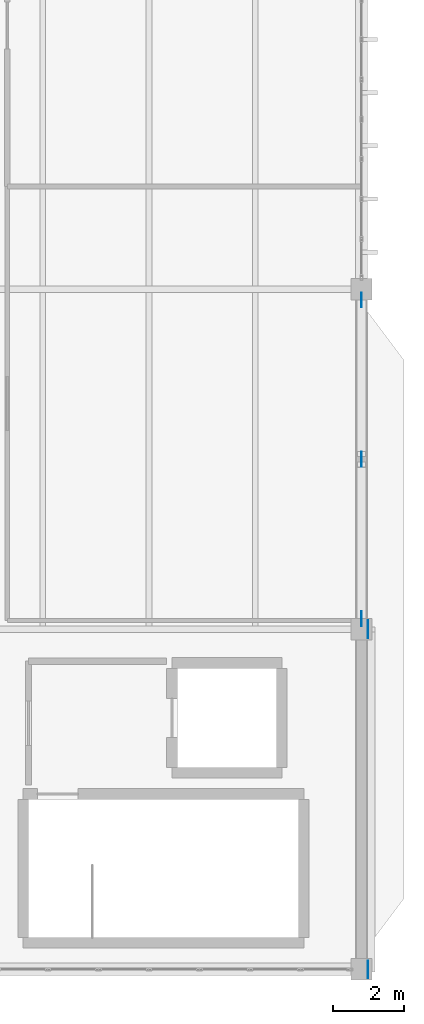
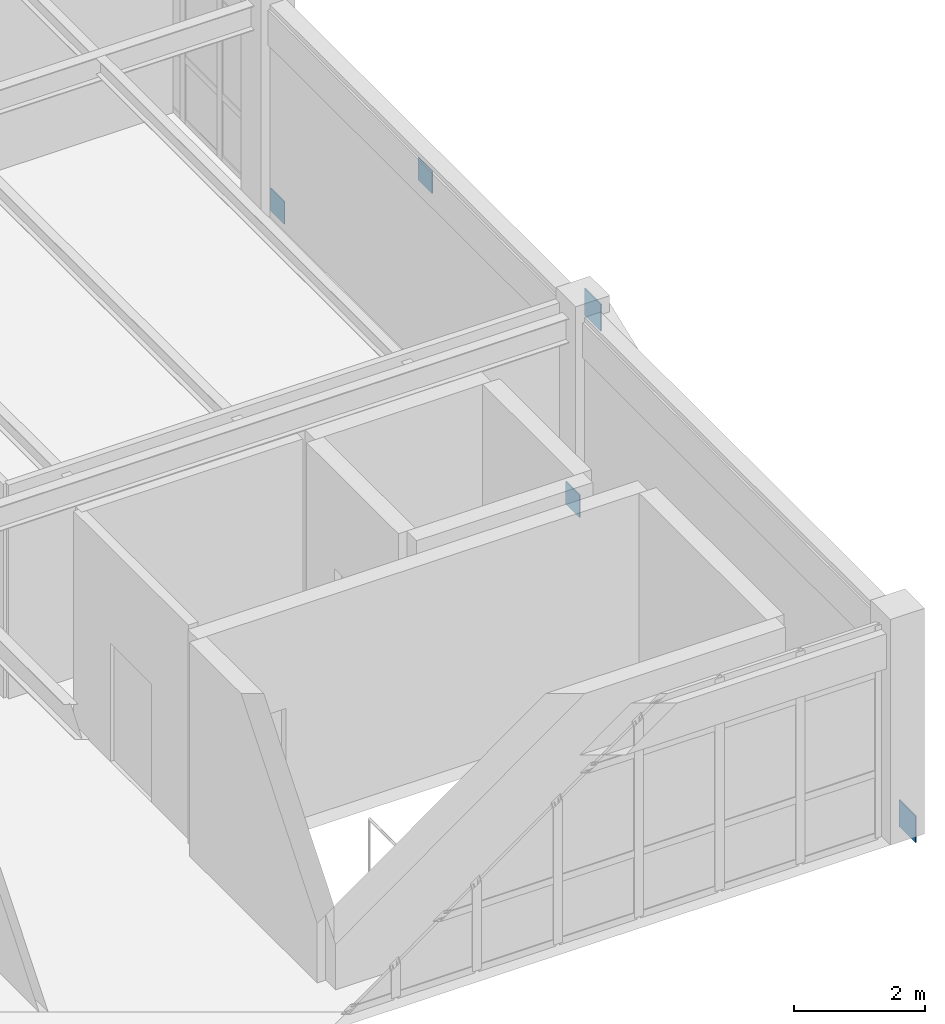
# One storey, part 24 of 28: 5 plates.
"""IFC4 building model written with IfcOpenShell, lengths in metres."""

from ifc_helpers import new_model, si_unit, direction, frame, origin, origin_2d, place, context, subcontext, project, spatial, rectangle, extrude, material, layer, layer_set, type_object, element, save


model = new_model("IFC4")

# Units and contexts
model_context = context("Model", 3, precision=1e-05, world=origin(), true_north=direction((0.0, 1.0)))
body_context = subcontext(model_context, "Body", "Model", "MODEL_VIEW")
ifc_project = project(units=[si_unit("LENGTHUNIT", "METRE"), si_unit("AREAUNIT", "SQUARE_METRE"), si_unit("VOLUMEUNIT", "CUBIC_METRE"), si_unit("PLANEANGLEUNIT", "RADIAN"), si_unit("MASSUNIT", "GRAM", prefix="KILO")], contexts=[model_context])

# Site, building, storey
site_placement = place(None, origin())
site = spatial("IfcSite", under=ifc_project, at=site_placement, CompositionType="ELEMENT")
building_placement = place(site_placement, origin())
building = spatial("IfcBuilding", under=site, at=building_placement, Name="Pandanus Reach Market Hall", CompositionType="ELEMENT")
storey_placement = place(building_placement, frame((0.0, 0.0, 18.60009765625)))
storey = spatial("IfcBuildingStorey", under=building, at=storey_placement, Name="L04", CompositionType="ELEMENT", Elevation=18.60009765625)

# Plates
ifc_material = material(Name="Steel Grade 350 (350 MPa)", Category="steel")
ifc_layer_1 = layer(ifc_material, 0.01611328125, Name="GS-PL16")
ifc_layer_set_1 = layer_set([ifc_layer_1], Name="Steel Grade 350 (350 MPa)")
plate_type_1 = type_object("IfcPlateType", Name="GS-PL16", PredefinedType="SHEET", material=ifc_layer_set_1)
for number, where, z_axis, x_axis, name in (
    (1, (180.0, 38.699951171875, -0.06005859375), (0.0, 0.0, 1.0), (0.0, 1.0, 0.0), "Brace gusset plate GS-PL16 16L"),
    (2, (180.0, 43.199951171875, 3.239990234375), (0.0, 0.0, 1.0), (0.0, 1.0, 0.0), "Brace gusset plate GS-PL16 16M"),
    (3, (180.0, 47.699951171875, -0.06005859375), (0.0, 0.0, 1.0), (0.0, 1.0, 0.0), "Brace gusset plate GS-PL16 16R"),
):
    element("IfcPlate", number, at=place(storey_placement, frame(where, z_axis=z_axis, x_axis=x_axis)), inside=storey, type_object=plate_type_1, Name=name, PredefinedType="SHEET", context=body_context, shape_type="SweptSolid", body=[
        extrude(rectangle(XDim=0.419921875, YDim=0.01611328125, at=origin_2d()), origin(), (0.0, 0.0, 1.0), 0.419921875),
    ])
ifc_layer_2 = layer(ifc_material, 0.02001953125, Name="GS-PL20")
ifc_layer_set_2 = layer_set([ifc_layer_2], Name="Steel Grade 350 (350 MPa)")
plate_type_2 = type_object("IfcPlateType", Name="GS-PL20", PredefinedType="SHEET", material=ifc_layer_set_2)
for number, where, z_axis, x_axis, name in (
    (4, (180.179931640625, 28.800048828125, -0.150146484375), (0.0, 0.0, 1.0), (1.0, 0.0, 0.0), "Diagrid rib end anchorage plate GS-PL20 10A"),
    (5, (180.179931640625, 38.39990234375, 3.5498046875), (0.0, 0.0, 1.0), (1.0, 0.0, 0.0), "Diagrid rib end anchorage plate GS-PL20 10B"),
):
    element("IfcPlate", number, at=place(storey_placement, frame(where, z_axis=z_axis, x_axis=x_axis)), inside=storey, type_object=plate_type_2, Name=name, PredefinedType="SHEET", context=body_context, shape_type="SweptSolid", body=[
        extrude(rectangle(XDim=0.02001953125, YDim=0.5, at=origin_2d()), origin(), (0.0, 0.0, 1.0), 0.5),
    ])

save(model, "model.ifc")
